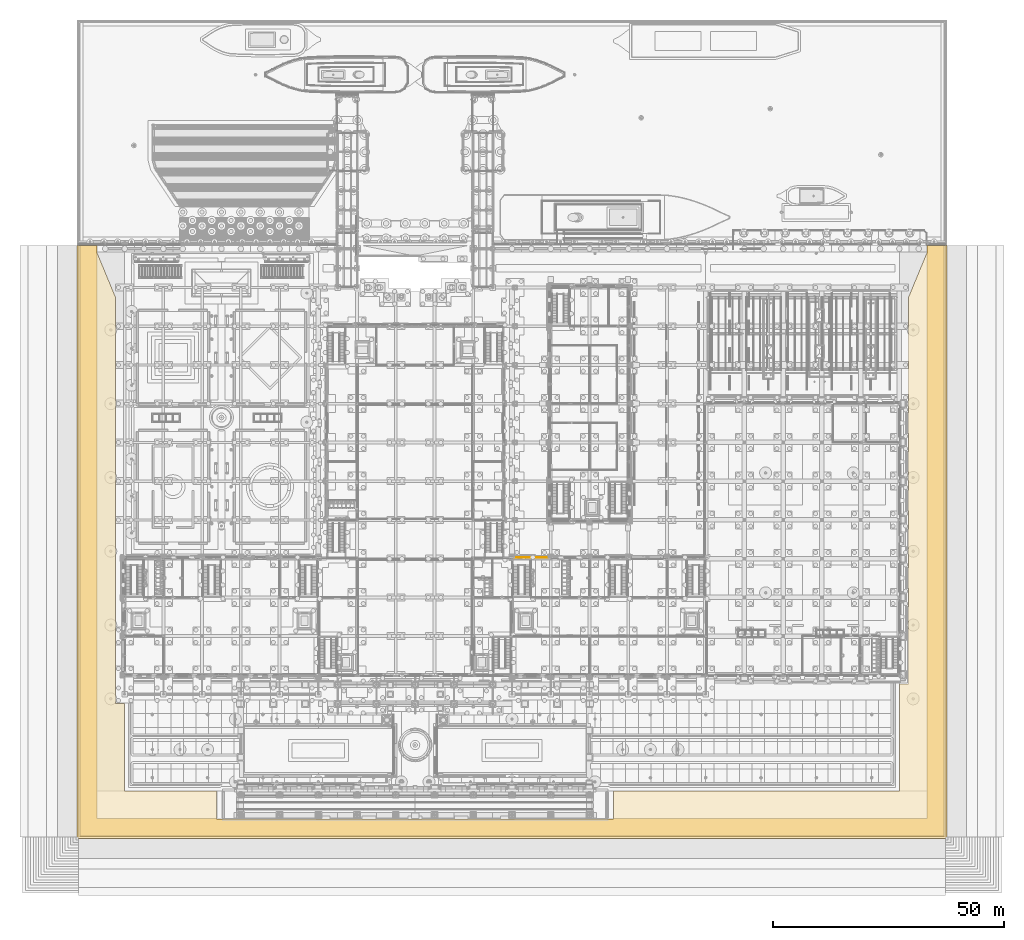
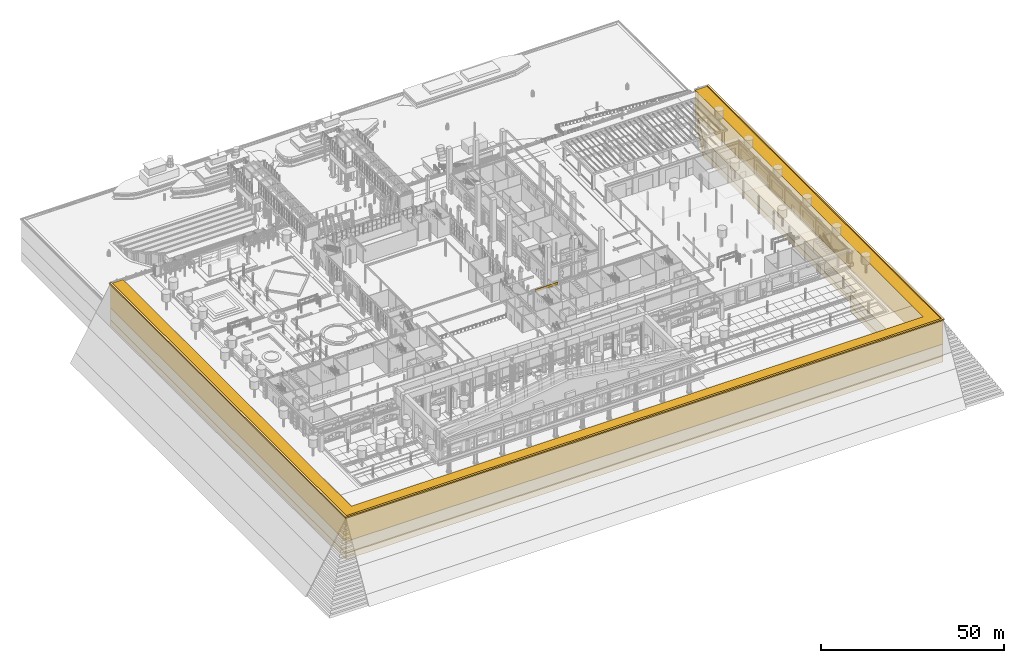
# One storey, part 146 of 222: 5 coverings.
"""IFC4 building model written with IfcOpenShell, lengths in metres."""

from ifc_helpers import new_model, si_unit, direction, frame, origin, place, context, subcontext, project, spatial, polyline, outline, extrude, material, layer, layer_set, type_object, element, save


model = new_model("IFC4")

# Units and contexts
model_context = context("Model", 3, precision=1e-05, world=origin(), true_north=direction((0.0, 1.0)))
body_context = subcontext(model_context, "Body", "Model", "MODEL_VIEW")
ifc_project = project(units=[si_unit("LENGTHUNIT", "METRE"), si_unit("AREAUNIT", "SQUARE_METRE"), si_unit("VOLUMEUNIT", "CUBIC_METRE"), si_unit("PLANEANGLEUNIT", "RADIAN"), si_unit("MASSUNIT", "GRAM", prefix="KILO")], contexts=[model_context])

# Site, building, storey
site_placement = place(None, origin())
site = spatial("IfcSite", under=ifc_project, at=site_placement, CompositionType="ELEMENT")
building_placement = place(site_placement, origin())
building = spatial("IfcBuilding", under=site, at=building_placement, Name="Sava Quay Ferry Terminal", CompositionType="ELEMENT")
storey_placement = place(building_placement, origin())
storey = spatial("IfcBuildingStorey", under=building, at=storey_placement, Name="L00", CompositionType="ELEMENT", Elevation=0.0)

# Coverings
ifc_material_1 = material(Name="Limestone Mutalj", Category="masonry")
ifc_layer_1 = layer(ifc_material_1, 0.14990234375)
ifc_layer_set_1 = layer_set([ifc_layer_1], Name="Limestone Mutalj")
covering_type_1 = type_object("IfcCoveringType", Name="Limestone string course 150", PredefinedType="CLADDING", material=ifc_layer_set_1)
covering_1_placement = place(storey_placement, frame((0.0, 0.0, 5.25)))
element("IfcCovering", 1, at=covering_1_placement, inside=storey, type_object=covering_type_1, Name="String course P-N", PredefinedType="CLADDING", context=body_context, shape_type="SweptSolid", body=[
    extrude(outline(polyline([(84.60009765625, 50.56005859375), (91.800048828125, 50.56005859375), (91.800048828125, 50.7099609375), (84.60009765625, 50.7099609375), (84.60009765625, 50.56005859375)])), origin(), (0.0, 0.0, 1.0), 0.75),
])
ifc_material_2 = material(Name="Compacted gravel fill")
ifc_layer_2 = layer(ifc_material_2, 7.97998046875)
ifc_layer_set_2 = layer_set([ifc_layer_2], Name="Compacted gravel fill")
covering_type_2 = type_object("IfcCoveringType", Name="Made ground at quay level", PredefinedType="CLADDING", material=ifc_layer_set_2)
covering_2_placement = place(storey_placement, frame((0.0, 0.0, -8.0)))
element("IfcCovering", 2, at=covering_2_placement, inside=storey, type_object=covering_type_2, Name="Made ground at quay level", PredefinedType="CLADDING", context=body_context, shape_type="SweptSolid", body=[
    extrude(outline(polyline([(-10.0, 118.344970703125), (-10.0, -10.0), (178.0, -10.0), (178.0, 118.344970703125), (174.030029296875, 118.344970703125), (174.030029296875, 116.843994140625), (169.97998046875, 107.06591796875), (174.0, 116.77197265625), (174.0, -6.0), (106.030029296875, -6.0), (106.030029296875, -6.030029296875), (19.969970703125, -6.030029296875), (19.969970703125, -6.0), (-6.0, -6.0), (-6.0, 116.77197265625), (-6.030029296875, 116.843994140625), (-6.030029296875, 118.344970703125), (-10.0, 118.344970703125)])), origin(), (0.0, 0.0, 1.0), 7.97998046875),
])
ifc_material_3 = material(Name="Limestone ashlar", Category="masonry")
ifc_layer_3 = layer(ifc_material_3, 0.300048828125)
ifc_layer_set_3 = layer_set([ifc_layer_3], Name="Limestone ashlar")
covering_type_3 = type_object("IfcCoveringType", Name="Quay kerb 300x400", PredefinedType="MOLDING", material=ifc_layer_set_3)
covering_3_placement = place(storey_placement, frame((0.0, 0.0, -0.02001953125)))
element("IfcCovering", 3, at=covering_3_placement, inside=storey, type_object=covering_type_3, Name="Quay kerb", PredefinedType="MOLDING", context=body_context, shape_type="SweptSolid", body=[
    extrude(outline(polyline([(-10.300048828125, 118.35009765625), (-10.300048828125, -10.300048828125), (178.300048828125, -10.300048828125), (178.300048828125, 118.35009765625), (177.699951171875, 118.35009765625), (177.699951171875, -9.699951171875), (-9.699951171875, -9.699951171875), (-9.699951171875, 118.35009765625), (-10.300048828125, 118.35009765625)])), origin(), (0.0, 0.0, 1.0), 0.39990234375),
])
ifc_material_4 = material(Name="Sand and gravel")
ifc_layer_4 = layer(ifc_material_4, 7.0)
ifc_layer_set_4 = layer_set([ifc_layer_4], Name="Sand and gravel")
covering_type_4 = type_object("IfcCoveringType", Name="Sand and gravel", PredefinedType="CLADDING", material=ifc_layer_set_4)
covering_4_placement = place(storey_placement, frame((0.0, 0.0, -14.0)))
element("IfcCovering", 4, at=covering_4_placement, inside=storey, type_object=covering_type_4, Name="Sand and gravel", PredefinedType="CLADDING", context=body_context, shape_type="SweptSolid", body=[
    extrude(outline(polyline([(178.0, -10.0), (178.0, 118.35009765625), (174.030029296875, 118.35009765625), (174.030029296875, 116.843994140625), (169.97998046875, 107.06591796875), (169.97998046875, 23.219970703125), (168.030029296875, 23.219970703125), (168.030029296875, -0.030029296875), (106.030029296875, -0.030029296875), (106.030029296875, -6.030029296875), (19.969970703125, -6.030029296875), (19.969970703125, -0.030029296875), (-0.030029296875, -0.030029296875), (-0.030029296875, 19.02001953125), (-1.97998046875, 19.02001953125), (-1.97998046875, 107.06591796875), (-6.030029296875, 116.843994140625), (-6.030029296875, 118.35009765625), (-10.0, 118.35009765625), (-10.0, -10.0), (178.0, -10.0)])), origin(), (0.0, 0.0, 1.0), 2.0),
])
ifc_material_5 = material(Name="Silty and sandy clay")
ifc_layer_5 = layer(ifc_material_5, 4.0)
ifc_layer_set_5 = layer_set([ifc_layer_5], Name="Silty and sandy clay")
covering_type_5 = type_object("IfcCoveringType", Name="Silty and sandy clay", PredefinedType="CLADDING", material=ifc_layer_set_5)
covering_5_placement = place(storey_placement, frame((0.0, 0.0, -12.0)))
element("IfcCovering", 5, at=covering_5_placement, inside=storey, type_object=covering_type_5, Name="Silty and sandy clay", PredefinedType="CLADDING", context=body_context, shape_type="SweptSolid", body=[
    extrude(outline(polyline([(178.0, -10.0), (178.0, 118.35009765625), (174.030029296875, 118.35009765625), (174.030029296875, 116.843994140625), (169.97998046875, 107.06591796875), (169.97998046875, 23.219970703125), (168.030029296875, 23.219970703125), (168.030029296875, -0.030029296875), (106.030029296875, -0.030029296875), (106.030029296875, -6.030029296875), (19.969970703125, -6.030029296875), (19.969970703125, -0.030029296875), (-0.030029296875, -0.030029296875), (-0.030029296875, 19.02001953125), (-1.97998046875, 19.02001953125), (-1.97998046875, 107.06591796875), (-6.030029296875, 116.843994140625), (-6.030029296875, 118.35009765625), (-10.0, 118.35009765625), (-10.0, -10.0), (178.0, -10.0)])), origin(), (0.0, 0.0, 1.0), 4.0),
])

save(model, "model.ifc")
